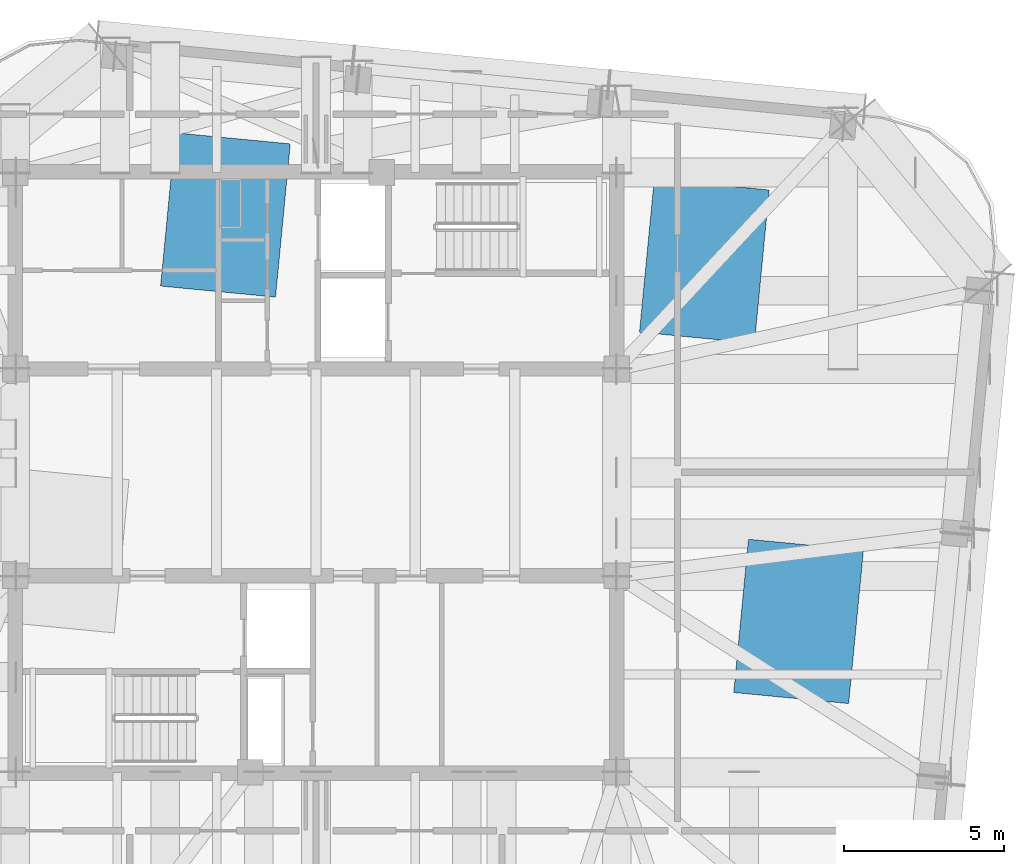
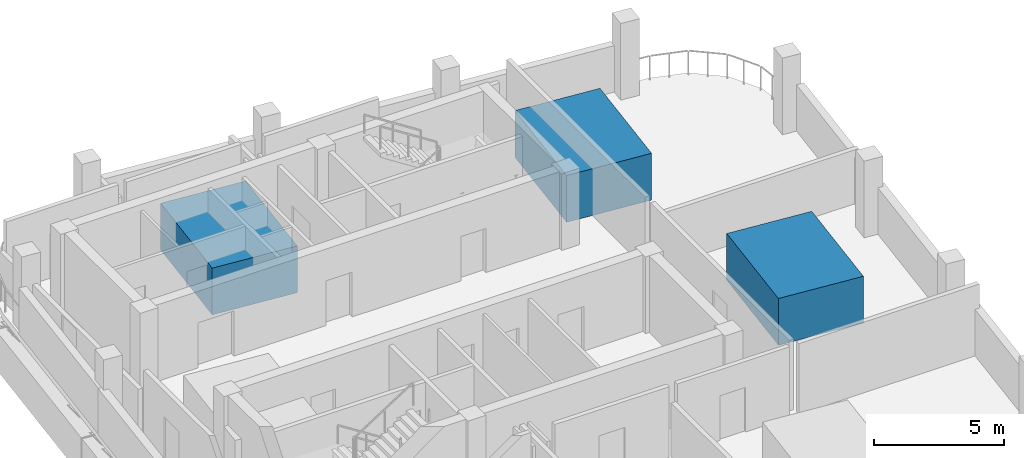
# One storey, part 6 of 10: 3 discrete accessories.
"""IFC4 building model written with IfcOpenShell, lengths in metres."""

from ifc_helpers import new_model, si_unit, direction, frame, origin, origin_2d, place, context, subcontext, project, spatial, rectangle, extrude, material, type_object, element, save


model = new_model("IFC4")

# Units and contexts
model_context = context("Model", 3, precision=1e-05, world=origin(), true_north=direction((0.0, 1.0)))
body_context = subcontext(model_context, "Body", "Model", "MODEL_VIEW")
ifc_project = project(units=[si_unit("LENGTHUNIT", "METRE"), si_unit("AREAUNIT", "SQUARE_METRE"), si_unit("VOLUMEUNIT", "CUBIC_METRE"), si_unit("PLANEANGLEUNIT", "RADIAN"), si_unit("MASSUNIT", "GRAM", prefix="KILO")], contexts=[model_context])

# Site, building, storey
site_placement = place(None, origin())
site = spatial("IfcSite", under=ifc_project, at=site_placement, CompositionType="ELEMENT")
building_placement = place(site_placement, origin())
building = spatial("IfcBuilding", under=site, at=building_placement, Name="Qhalaya Broadcast Tower", CompositionType="ELEMENT")
storey_placement = place(building_placement, frame((0.0, 0.0, 289.25)))
storey = spatial("IfcBuildingStorey", under=building, at=storey_placement, Name="L85", CompositionType="ELEMENT", Elevation=289.25)

# Discrete accessories
ifc_material = material(Name="Powder-Coated Galvanised Steel", Category="steel")
discrete_accessory_type = type_object("IfcDiscreteAccessoryType", Name="Rooftop Mechanical Equipment Plinth EQP-01", PredefinedType="USERDEFINED", material=ifc_material)
for number, where, z_axis, x_axis, name in (
    (1, (-2.8232421875, 8.6259765625, 0.0), (0.0, 0.0, 1.0), (0.995396198367, -0.09584575252, 0.0), "Crown Adiabatic Dry-Cooler Plant Unit 1"),
    (2, (12.107666015625, 7.188232421875, 0.0), (0.0, 0.0, 1.0), (0.995396198367, -0.09584575252, 0.0), "Crown Adiabatic Dry-Cooler Plant Unit 2"),
    (3, (15.044677734375, -4.044921875, 0.0), (0.0, 0.0, 1.0), (0.995396198367, -0.09584575252, 0.0), "Crown Broadcast Transmitter Cooling Unit"),
):
    element("IfcDiscreteAccessory", number, at=place(storey_placement, frame(where, z_axis=z_axis, x_axis=x_axis)), inside=storey, type_object=discrete_accessory_type, Name=name, ObjectType="MECHANICAL PLANT UNIT", PredefinedType="USERDEFINED", context=body_context, shape_type="SweptSolid", body=[
        extrude(rectangle(XDim=3.60009765625, YDim=4.800048828125, at=origin_2d()), origin(), (0.0, 0.0, 1.0), 2.199951171875),
    ])

save(model, "model.ifc")
